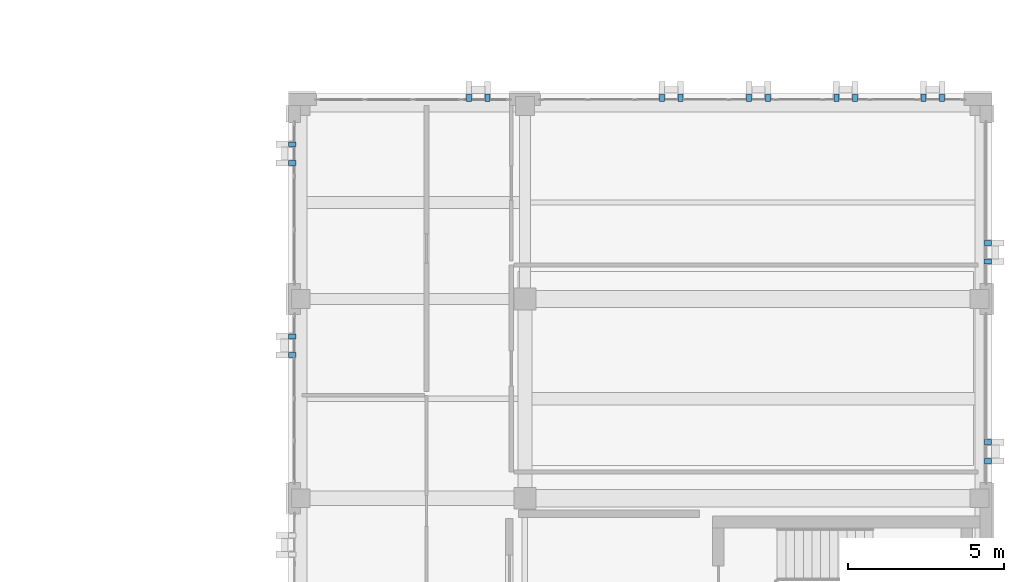
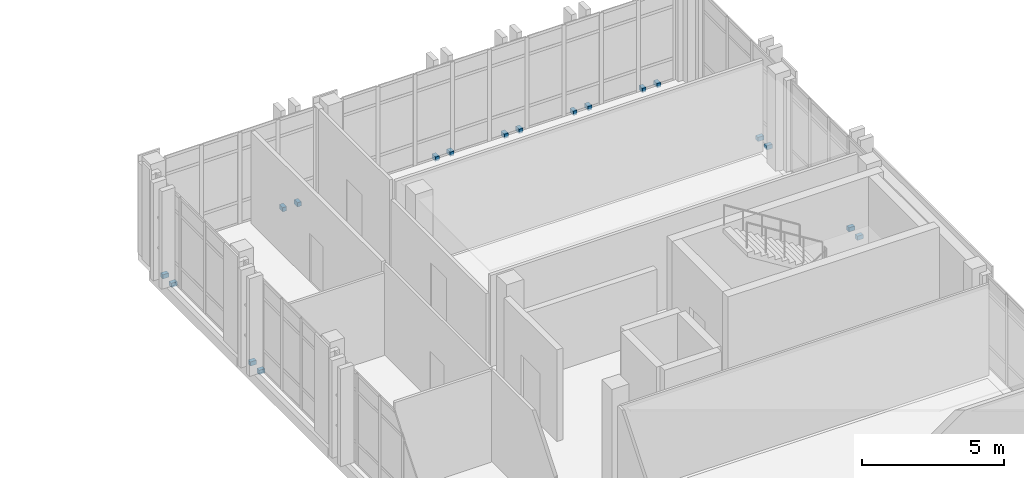
# One storey, part 77 of 90: 18 discrete accessories.
"""IFC4 building model written with IfcOpenShell, lengths in metres."""

from ifc_helpers import new_model, si_unit, direction, frame, origin, origin_2d, place, context, subcontext, project, spatial, rectangle, extrude, material, type_object, element, save


model = new_model("IFC4")

# Units and contexts
model_context = context("Model", 3, precision=1e-05, world=origin(), true_north=direction((0.0, 1.0)))
body_context = subcontext(model_context, "Body", "Model", "MODEL_VIEW")
ifc_project = project(units=[si_unit("LENGTHUNIT", "METRE"), si_unit("AREAUNIT", "SQUARE_METRE"), si_unit("VOLUMEUNIT", "CUBIC_METRE"), si_unit("PLANEANGLEUNIT", "RADIAN"), si_unit("MASSUNIT", "GRAM", prefix="KILO")], contexts=[model_context])

# Site, building, storey
site_placement = place(None, origin())
site = spatial("IfcSite", under=ifc_project, at=site_placement, CompositionType="ELEMENT")
building_placement = place(site_placement, origin())
building = spatial("IfcBuilding", under=site, at=building_placement, Name="Qalavern Law Courts", CompositionType="ELEMENT")
storey_placement = place(building_placement, frame((0.0, 0.0, 22.800048828125)))
storey = spatial("IfcBuildingStorey", under=building, at=storey_placement, Name="L05", CompositionType="ELEMENT", Elevation=22.800048828125)

# Discrete accessories
ifc_material = material(Name="Steel S355", Category="steel")
discrete_accessory_type = type_object("IfcDiscreteAccessoryType", Name="ENV-BRK-FIN", PredefinedType="BRACKET", material=ifc_material)
for number, where, z_axis, x_axis, name in (
    (1, (106.66748046875, 74.0, -0.06982421875), (0.0, 0.0, 1.0), (1.0, 0.0, 0.0), "Stone blade anchor bracket 0727"),
    (2, (106.66748046875, 74.60009765625, -0.06982421875), (0.0, 0.0, 1.0), (1.0, 0.0, 0.0), "Stone blade anchor bracket 0728"),
    (3, (106.66748046875, 80.39990234375, -0.06982421875), (0.0, 0.0, 1.0), (1.0, 0.0, 0.0), "Stone blade anchor bracket 0729"),
    (4, (106.66748046875, 81.0, -0.06982421875), (0.0, 0.0, 1.0), (1.0, 0.0, 0.0), "Stone blade anchor bracket 0730"),
    (5, (105.199951171875, 85.66748046875, -0.06982421875), (0.0, 0.0, 1.0), (0.0, 1.0, 0.0), "Stone blade anchor bracket 0731"),
    (6, (104.60009765625, 85.66748046875, -0.06982421875), (0.0, 0.0, 1.0), (0.0, 1.0, 0.0), "Stone blade anchor bracket 0732"),
    (7, (102.39990234375, 85.66748046875, -0.06982421875), (0.0, 0.0, 1.0), (0.0, 1.0, 0.0), "Stone blade anchor bracket 0733"),
    (8, (101.800048828125, 85.66748046875, -0.06982421875), (0.0, 0.0, 1.0), (0.0, 1.0, 0.0), "Stone blade anchor bracket 0734"),
    (9, (99.60009765625, 85.66748046875, -0.06982421875), (0.0, 0.0, 1.0), (0.0, 1.0, 0.0), "Stone blade anchor bracket 0735"),
    (10, (99.0, 85.66748046875, -0.06982421875), (0.0, 0.0, 1.0), (0.0, 1.0, 0.0), "Stone blade anchor bracket 0736"),
    (11, (96.800048828125, 85.66748046875, -0.06982421875), (0.0, 0.0, 1.0), (0.0, 1.0, 0.0), "Stone blade anchor bracket 0737"),
    (12, (96.199951171875, 85.66748046875, -0.06982421875), (0.0, 0.0, 1.0), (0.0, 1.0, 0.0), "Stone blade anchor bracket 0738"),
    (13, (90.60009765625, 85.66748046875, -0.06982421875), (0.0, 0.0, 1.0), (0.0, 1.0, 0.0), "Stone blade anchor bracket 0739"),
    (14, (90.0, 85.66748046875, -0.06982421875), (0.0, 0.0, 1.0), (0.0, 1.0, 0.0), "Stone blade anchor bracket 0740"),
    (15, (84.33251953125, 84.169921875, -0.06982421875), (0.0, 0.0, 1.0), (-1.0, 0.0, 0.0), "Stone blade anchor bracket 0741"),
    (16, (84.33251953125, 83.570068359375, -0.06982421875), (0.0, 0.0, 1.0), (-1.0, 0.0, 0.0), "Stone blade anchor bracket 0742"),
    (17, (84.33251953125, 78.0, -0.06982421875), (0.0, 0.0, 1.0), (-1.0, 0.0, 0.0), "Stone blade anchor bracket 0743"),
    (18, (84.33251953125, 77.39990234375, -0.06982421875), (0.0, 0.0, 1.0), (-1.0, 0.0, 0.0), "Stone blade anchor bracket 0744"),
):
    element("IfcDiscreteAccessory", number, at=place(storey_placement, frame(where, z_axis=z_axis, x_axis=x_axis)), inside=storey, type_object=discrete_accessory_type, Name=name, PredefinedType="BRACKET", context=body_context, shape_type="SweptSolid", body=[
        extrude(rectangle(XDim=0.239990234375, YDim=0.159912109375, at=origin_2d()), origin(), (0.0, 0.0, 1.0), 0.179931640625),
    ])

save(model, "model.ifc")
